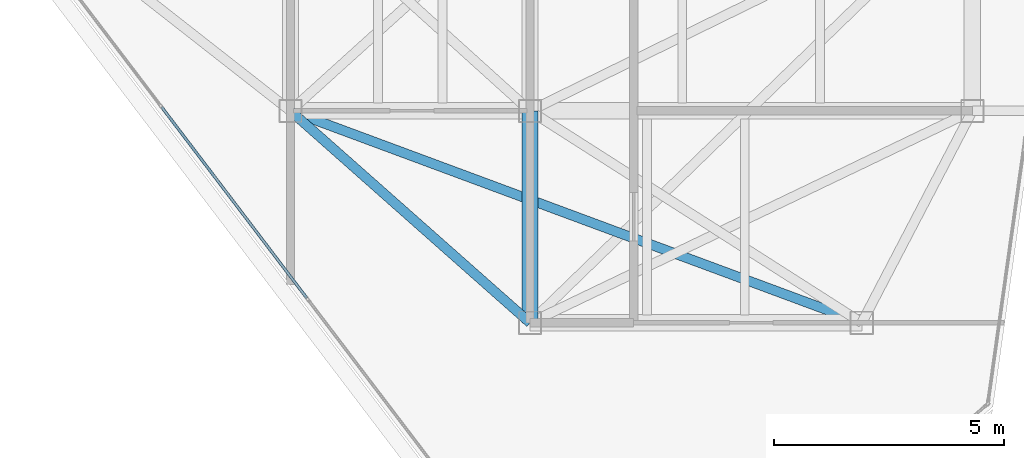
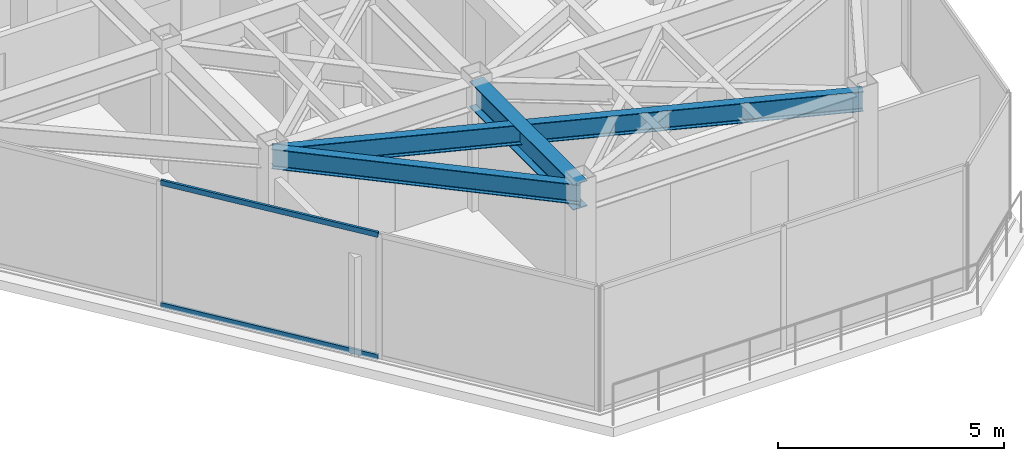
# One storey, part 5 of 17: 3 beams, 2 members, 1 element without a shape of its own.
"""IFC4 building model written with IfcOpenShell, lengths in metres."""

from ifc_helpers import new_model, si_unit, direction, frame, origin, origin_2d, place, context, subcontext, project, spatial, hollow_rectangle, i_section, extrude, material, layer, layer_set, material_profile, profile_set, type_object, element, aggregate, save


model = new_model("IFC4")

# Units and contexts
model_context = context("Model", 3, precision=1e-05, world=origin(), true_north=direction((0.0, 1.0)))
body_context = subcontext(model_context, "Body", "Model", "MODEL_VIEW")
ifc_project = project(units=[si_unit("LENGTHUNIT", "METRE"), si_unit("AREAUNIT", "SQUARE_METRE"), si_unit("VOLUMEUNIT", "CUBIC_METRE"), si_unit("PLANEANGLEUNIT", "RADIAN"), si_unit("MASSUNIT", "GRAM", prefix="KILO")], contexts=[model_context])

# Site, building, storey
site_placement = place(None, origin())
site = spatial("IfcSite", under=ifc_project, at=site_placement, CompositionType="ELEMENT")
building_placement = place(site_placement, origin())
building = spatial("IfcBuilding", under=site, at=building_placement, Name="Kravanh Interchange Tower", CompositionType="ELEMENT")
storey_placement = place(building_placement, frame((0.0, 0.0, 263.39990234375)))
storey = spatial("IfcBuildingStorey", under=building, at=storey_placement, Name="L64", CompositionType="ELEMENT", Elevation=263.39990234375)

# Curtain wall, members
ifc_material_1 = material(Name="Anodised Bronze Aluminium", Category="aluminium")
ifc_layer = layer(ifc_material_1, 0.179931640625)
ifc_layer_set = layer_set([ifc_layer], Name="Unitised Curtain Wall System CW-HTL Luxury Hotel")
curtain_wall_type = type_object("IfcCurtainWallType", Name="Unitised Curtain Wall System CW-HTL Luxury Hotel", PredefinedType="NOTDEFINED", material=ifc_layer_set)
curtain_wall_placement = place(storey_placement, origin())
curtain_wall = element("IfcCurtainWall", 1, at=curtain_wall_placement, inside=storey, type_object=curtain_wall_type, Name="L64 Unitised Curtain Wall CW-L64-04", PredefinedType="NOTDEFINED")
ifc_material_2 = material(Name="Anodised Bronze Aluminium", Category="aluminium")
ifc_material_profile_1 = material_profile(ifc_material_2, hollow_rectangle(XDim=0.06005859375, YDim=0.139892578125, WallThickness=0.00390625, at=origin_2d()), Name="ALU60X140X4")
ifc_profile_set_1 = profile_set([ifc_material_profile_1], Name="Anodised Bronze Aluminium")
member_type = type_object("IfcMemberType", Name="Curtain Wall Transom ALU60X140X4 Bronze", PredefinedType="USERDEFINED", material=ifc_profile_set_1)
member_1_placement = place(storey_placement, frame((51.15478515625, 22.736572265625, 0.030029296875), z_axis=(-0.605074944506, 0.796168519555, 0.0), x_axis=(-0.796168519555, -0.605074944506, 0.0)))
member_1 = element("IfcMember", 2, at=member_1_placement, type_object=member_type, Name="CW-HTL transom 2.1", ObjectType="TRANSOM", PredefinedType="USERDEFINED", context=body_context, shape_type="SweptSolid", body=[
    extrude(hollow_rectangle(XDim=0.06005859375, YDim=0.139892578125, WallThickness=0.00390625, at=origin_2d()), origin(), (0.0, 0.0, 1.0), 5.206298828125),
])
member_2_placement = place(storey_placement, frame((51.15478515625, 22.736572265625, 3.330078125), z_axis=(-0.605074944506, 0.796168519555, 0.0), x_axis=(-0.796168519555, -0.605074944506, 0.0)))
member_2 = element("IfcMember", 3, at=member_2_placement, type_object=member_type, Name="CW-HTL transom 2.2", ObjectType="TRANSOM", PredefinedType="USERDEFINED", context=body_context, shape_type="SweptSolid", body=[
    extrude(hollow_rectangle(XDim=0.06005859375, YDim=0.139892578125, WallThickness=0.00390625, at=origin_2d()), origin(), (0.0, 0.0, 1.0), 5.206298828125),
])
aggregate(curtain_wall, [member_1, member_2])

# Beams
ifc_material_3 = material(Name="Structural Steel S355", Category="steel")
ifc_material_profile_2 = material_profile(ifc_material_3, i_section(OverallWidth=0.35498046875, OverallDepth=0.696044921875, WebThickness=0.015380859375, FlangeThickness=0.02490234375, FilletRadius=0.02392578125, at=origin_2d()), Name="W27X146")
ifc_profile_set_2 = profile_set([ifc_material_profile_2], Name="Structural Steel S355")
beam_type_1 = type_object("IfcBeamType", Name="Floor Beam W27X146 Structural Steel S355", PredefinedType="BEAM", material=ifc_profile_set_2)
beam_1_placement = place(storey_placement, frame((56.0, 26.800048828125, 3.01220703125), z_axis=(0.0, -1.0, 0.0), x_axis=(1.0, 0.0, 0.0)))
element("IfcBeam", 4, at=beam_1_placement, inside=storey, type_object=beam_type_1, Name="L64 Primary Floor Girder 28", PredefinedType="BEAM", context=body_context, shape_type="SweptSolid", body=[
    extrude(i_section(OverallWidth=0.35498046875, OverallDepth=0.696044921875, WebThickness=0.015380859375, FlangeThickness=0.02490234375, FilletRadius=0.02392578125, at=origin_2d()), origin(), (0.0, 0.0, 1.0), 4.60009765625),
])
ifc_material_4 = material(Name="Structural Steel S355", Category="steel")
ifc_material_profile_3 = material_profile(ifc_material_4, i_section(OverallWidth=0.2099609375, OverallDepth=0.537109375, WebThickness=0.010986328125, FlangeThickness=0.017333984375, FilletRadius=0.02001953125, at=origin_2d()), Name="W21X68")
ifc_profile_set_3 = profile_set([ifc_material_profile_3], Name="Structural Steel S355")
beam_type_2 = type_object("IfcBeamType", Name="Floor Spandrel W21X68 Structural Steel S355", PredefinedType="SPANDREL", material=ifc_profile_set_3)
beam_2_placement = place(storey_placement, frame((50.800048828125, 26.800048828125, 3.091552734375), z_axis=(0.74898649432, -0.662585263439, 0.0), x_axis=(0.662585263439, 0.74898649432, 0.0)))
element("IfcBeam", 5, at=beam_2_placement, inside=storey, type_object=beam_type_2, Name="L64 Perimeter Spandrel 26", PredefinedType="SPANDREL", context=body_context, shape_type="SweptSolid", body=[
    extrude(i_section(OverallWidth=0.2099609375, OverallDepth=0.537109375, WebThickness=0.010986328125, FlangeThickness=0.017333984375, FilletRadius=0.02001953125, at=origin_2d()), origin(), (0.0, 0.0, 1.0), 6.942626953125),
])
beam_3_placement = place(storey_placement, frame((50.800048828125, 26.800048828125, 3.091552734375), z_axis=(0.937562917338, -0.347815721372, 0.0), x_axis=(0.347815721372, 0.937562917338, 0.0)))
element("IfcBeam", 6, at=beam_3_placement, inside=storey, type_object=beam_type_2, Name="L64 Perimeter Spandrel 27", PredefinedType="SPANDREL", context=body_context, shape_type="SweptSolid", body=[
    extrude(i_section(OverallWidth=0.2099609375, OverallDepth=0.537109375, WebThickness=0.010986328125, FlangeThickness=0.017333984375, FilletRadius=0.02001953125, at=origin_2d()), origin(), (0.0, 0.0, 1.0), 13.2255859375),
])

save(model, "model.ifc")
